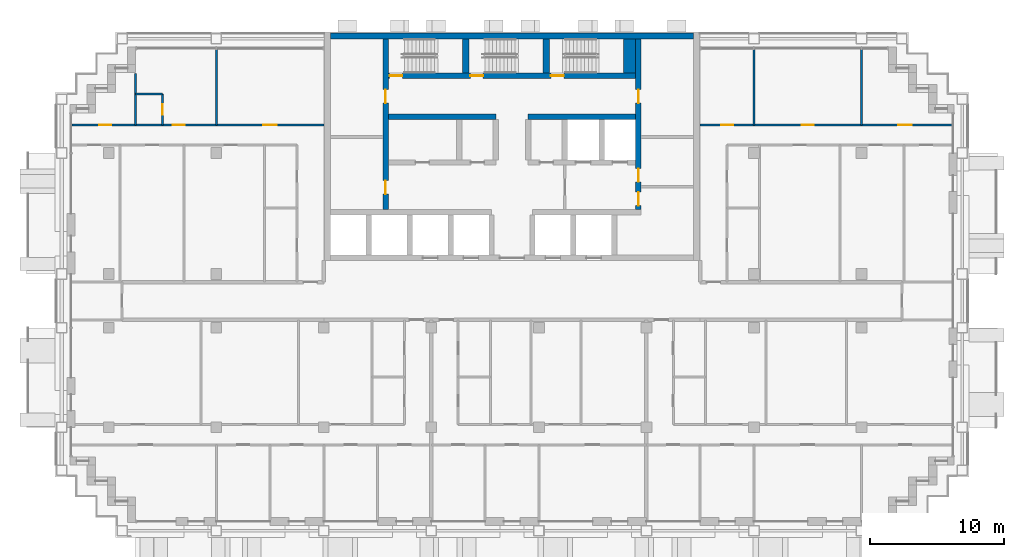
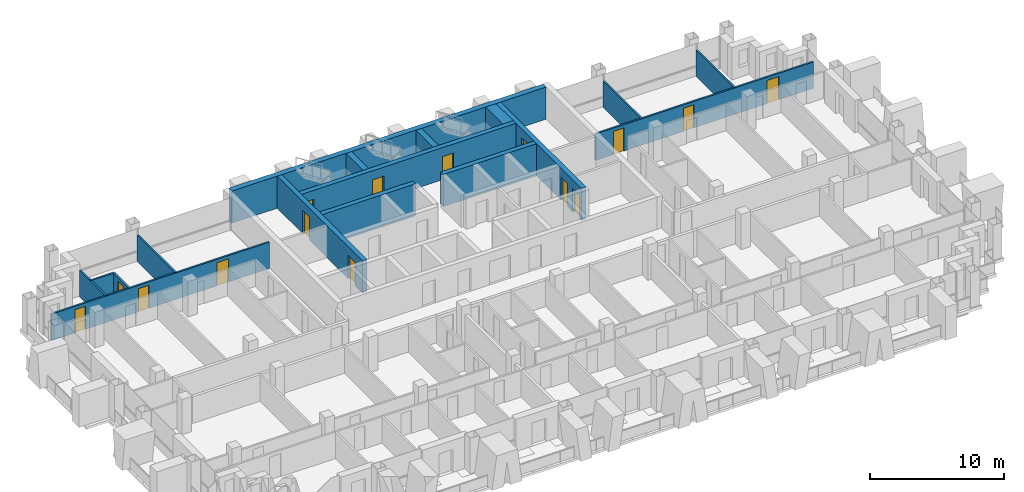
# One storey, part 11 of 16: 17 walls, 15 doors, 15 openings.
"""IFC4 building model written with IfcOpenShell, lengths in metres."""

from ifc_helpers import new_model, si_unit, direction, frame, frame_2d, origin, place, context, subcontext, project, spatial, rectangle, extrude, material, layer, layer_set, type_object, element, fill, save


model = new_model("IFC4")

# Units and contexts
model_context = context("Model", 3, precision=1e-05, world=origin(), true_north=direction((0.0, 1.0)))
body_context = subcontext(model_context, "Body", "Model", "MODEL_VIEW")
ifc_project = project(units=[si_unit("LENGTHUNIT", "METRE"), si_unit("AREAUNIT", "SQUARE_METRE"), si_unit("VOLUMEUNIT", "CUBIC_METRE"), si_unit("PLANEANGLEUNIT", "RADIAN"), si_unit("MASSUNIT", "GRAM", prefix="KILO")], contexts=[model_context])

# Site, building, storey
site_placement = place(None, origin())
site = spatial("IfcSite", under=ifc_project, at=site_placement, CompositionType="ELEMENT")
building_placement = place(site_placement, origin())
building = spatial("IfcBuilding", under=site, at=building_placement, Name="Vidyagriha Tower", CompositionType="ELEMENT")
storey_placement = place(building_placement, frame((0.0, 0.0, 129.39990234375)))
storey = spatial("IfcBuildingStorey", under=building, at=storey_placement, Name="L33", CompositionType="ELEMENT", Elevation=129.39990234375)

# Wall, openings, doors
ifc_material_1 = material(Name="Concrete C60/75", Category="concrete")
ifc_layer_1 = layer(ifc_material_1, 0.39990234375)
ifc_layer_set_1 = layer_set([ifc_layer_1], Name="Concrete C60/75")
wall_type_1 = type_object("IfcWallType", Name="Core shear wall 400 mm", PredefinedType="SHEAR", material=ifc_layer_set_1)
wall_1_placement = place(storey_placement, frame((-9.39990234375, 6.800048828125, 0.0), z_axis=(0.0, 0.0, 1.0), x_axis=(0.0, 1.0, 0.0)))
wall_1 = element("IfcWall", 1, at=wall_1_placement, inside=storey, type_object=wall_type_1, Name="Core west spine wall", PredefinedType="SHEAR", context=body_context, shape_type="SweptSolid", body=[
    extrude(rectangle(XDim=12.699951171875, YDim=0.39990234375, at=frame_2d((6.35009765625, 0.0))), origin(), (0.0, 0.0, 1.0), 2.920166015625),
])
opening_1_placement = place(wall_1_placement, frame((1.14990234375, 0.0, 0.0)))
opening_1 = element("IfcOpeningElement", 2, at=opening_1_placement, cuts=wall_1, Name="Opening D33-09", PredefinedType="OPENING", context=body_context, shape_type="SweptSolid", body=[
    extrude(rectangle(XDim=1.0, YDim=2.10009765625, at=frame_2d((0.5, 1.050048828125))), frame((0.0, 0.2099609375, 0.0), z_axis=(0.0, -1.0, 0.0), x_axis=(1.0, 0.0, 0.0)), (0.0, 0.0, 1.0), 0.419921875),
])
opening_2_placement = place(wall_1_placement, frame((7.925048828125, 0.0, 0.0)))
opening_2 = element("IfcOpeningElement", 3, at=opening_2_placement, cuts=wall_1, Name="Opening D33-10", PredefinedType="OPENING", context=body_context, shape_type="SweptSolid", body=[
    extrude(rectangle(XDim=1.0, YDim=2.10009765625, at=frame_2d((0.5, 1.050048828125))), frame((0.0, 0.2099609375, 0.0), z_axis=(0.0, -1.0, 0.0), x_axis=(1.0, 0.0, 0.0)), (0.0, 0.0, 1.0), 0.419921875),
])
ifc_material_2 = material(Name="Hollow metal door leaf")
door_type_1 = type_object("IfcDoorType", Name="Core room door 1000 x 2100 mm EI 60", OperationType="NOTDEFINED", PredefinedType="DOOR", material=ifc_material_2)
door_1_placement = place(opening_1_placement, frame((1.0, 0.0, 0.0), z_axis=(0.0, 0.0, 1.0), x_axis=(-1.0, 0.0, 0.0)))
door_1 = element("IfcDoor", 4, at=door_1_placement, inside=storey, type_object=door_type_1, Name="Door Storage Room 33.W1", OperationType="SINGLE_SWING_RIGHT", OverallHeight=2.10009765625, OverallWidth=1.0, PredefinedType="DOOR", context=body_context, shape_type="SweptSolid", body=[
    extrude(rectangle(XDim=1.0, YDim=2.10009765625, at=frame_2d((0.5, 1.050048828125))), frame((0.0, 0.02490234375, 0.0), z_axis=(0.0, -1.0, 0.0), x_axis=(1.0, 0.0, 0.0)), (0.0, 0.0, 1.0), 0.050048828125),
])
fill(opening_1, door_1)
door_2_placement = place(opening_2_placement, frame((1.0, 0.0, 0.0), z_axis=(0.0, 0.0, 1.0), x_axis=(-1.0, 0.0, 0.0)))
door_2 = element("IfcDoor", 5, at=door_2_placement, inside=storey, type_object=door_type_1, Name="Door Cleaners Store 33.W2", OperationType="SINGLE_SWING_LEFT", OverallHeight=2.10009765625, OverallWidth=1.0, PredefinedType="DOOR", context=body_context, shape_type="SweptSolid", body=[
    extrude(rectangle(XDim=1.0, YDim=2.10009765625, at=frame_2d((0.5, 1.050048828125))), frame((0.0, 0.02490234375, 0.0), z_axis=(0.0, -1.0, 0.0), x_axis=(1.0, 0.0, 0.0)), (0.0, 0.0, 1.0), 0.050048828125),
])
fill(opening_2, door_2)

wall_2_placement = place(storey_placement, frame((9.39990234375, 6.800048828125, 0.0), z_axis=(0.0, 0.0, 1.0), x_axis=(0.0, 1.0, 0.0)))
wall_2 = element("IfcWall", 6, at=wall_2_placement, inside=storey, type_object=wall_type_1, Name="Core east spine wall", PredefinedType="SHEAR", context=body_context, shape_type="SweptSolid", body=[
    extrude(rectangle(XDim=12.699951171875, YDim=0.39990234375, at=frame_2d((6.35009765625, 0.0))), origin(), (0.0, 0.0, 1.0), 2.920166015625),
])
opening_3_placement = place(wall_2_placement, frame((0.300048828125, 0.0, 0.0)))
opening_3 = element("IfcOpeningElement", 7, at=opening_3_placement, cuts=wall_2, Name="Opening D33-11", PredefinedType="OPENING", context=body_context, shape_type="SweptSolid", body=[
    extrude(rectangle(XDim=1.0, YDim=2.10009765625, at=frame_2d((0.5, 1.050048828125))), frame((0.0, 0.2099609375, 0.0), z_axis=(0.0, -1.0, 0.0), x_axis=(1.0, 0.0, 0.0)), (0.0, 0.0, 1.0), 0.419921875),
])
opening_4_placement = place(wall_2_placement, frame((2.050048828125, 0.0, 0.0)))
opening_4 = element("IfcOpeningElement", 8, at=opening_4_placement, cuts=wall_2, Name="Opening D33-12", PredefinedType="OPENING", context=body_context, shape_type="SweptSolid", body=[
    extrude(rectangle(XDim=1.0, YDim=2.10009765625, at=frame_2d((0.5, 1.050048828125))), frame((0.0, 0.2099609375, 0.0), z_axis=(0.0, -1.0, 0.0), x_axis=(1.0, 0.0, 0.0)), (0.0, 0.0, 1.0), 0.419921875),
])
opening_5_placement = place(wall_2_placement, frame((7.925048828125, 0.0, 0.0)))
opening_5 = element("IfcOpeningElement", 9, at=opening_5_placement, cuts=wall_2, Name="Opening D33-13", PredefinedType="OPENING", context=body_context, shape_type="SweptSolid", body=[
    extrude(rectangle(XDim=1.0, YDim=2.10009765625, at=frame_2d((0.5, 1.050048828125))), frame((0.0, 0.2099609375, 0.0), z_axis=(0.0, -1.0, 0.0), x_axis=(1.0, 0.0, 0.0)), (0.0, 0.0, 1.0), 0.419921875),
])
door_3_placement = place(opening_3_placement, origin())
door_3 = element("IfcDoor", 10, at=door_3_placement, inside=storey, type_object=door_type_1, Name="Door Communications Room 33.E1", OperationType="SINGLE_SWING_RIGHT", OverallHeight=2.10009765625, OverallWidth=1.0, PredefinedType="DOOR", context=body_context, shape_type="SweptSolid", body=[
    extrude(rectangle(XDim=1.0, YDim=2.10009765625, at=frame_2d((0.5, 1.050048828125))), frame((0.0, 0.02490234375, 0.0), z_axis=(0.0, -1.0, 0.0), x_axis=(1.0, 0.0, 0.0)), (0.0, 0.0, 1.0), 0.050048828125),
])
fill(opening_3, door_3)
door_4_placement = place(opening_4_placement, origin())
door_4 = element("IfcDoor", 11, at=door_4_placement, inside=storey, type_object=door_type_1, Name="Door Pressurisation Plant Room 33.E2", OperationType="SINGLE_SWING_LEFT", OverallHeight=2.10009765625, OverallWidth=1.0, PredefinedType="DOOR", context=body_context, shape_type="SweptSolid", body=[
    extrude(rectangle(XDim=1.0, YDim=2.10009765625, at=frame_2d((0.5, 1.050048828125))), frame((0.0, 0.02490234375, 0.0), z_axis=(0.0, -1.0, 0.0), x_axis=(1.0, 0.0, 0.0)), (0.0, 0.0, 1.0), 0.050048828125),
])
fill(opening_4, door_4)
door_5_placement = place(opening_5_placement, origin())
door_5 = element("IfcDoor", 12, at=door_5_placement, inside=storey, type_object=door_type_1, Name="Door Switchgear Room 33.E3", OperationType="SINGLE_SWING_LEFT", OverallHeight=2.10009765625, OverallWidth=1.0, PredefinedType="DOOR", context=body_context, shape_type="SweptSolid", body=[
    extrude(rectangle(XDim=1.0, YDim=2.10009765625, at=frame_2d((0.5, 1.050048828125))), frame((0.0, 0.02490234375, 0.0), z_axis=(0.0, -1.0, 0.0), x_axis=(1.0, 0.0, 0.0)), (0.0, 0.0, 1.0), 0.050048828125),
])
fill(opening_5, door_5)

# Walls
for number, where, name in (
    (13, (-9.199951171875, 13.699951171875, 0.0), "Core row N rear wall"),
    (14, (1.199951171875, 13.699951171875, 0.0), "Core row N rear wall"),
):
    element("IfcWall", number, at=place(storey_placement, frame(where)), inside=storey, type_object=wall_type_1, Name=name, PredefinedType="SHEAR", context=body_context, shape_type="SweptSolid", body=[
        extrude(rectangle(XDim=8.0, YDim=0.39990234375, at=frame_2d((4.0, 0.0))), origin(), (0.0, 0.0, 1.0), 2.920166015625),
    ])

# Wall, openings, doors
wall_3_placement = place(storey_placement, frame((-9.199951171875, 16.75, 0.0)))
wall_3 = element("IfcWall", 15, at=wall_3_placement, inside=storey, type_object=wall_type_1, Name="Stair front wall", PredefinedType="SHEAR", context=body_context, shape_type="SweptSolid", body=[
    extrude(rectangle(XDim=18.39990234375, YDim=0.39990234375, at=frame_2d((9.199951171875, 0.0))), origin(), (0.0, 0.0, 1.0), 2.920166015625),
])
opening_6_placement = place(wall_3_placement, frame((0.10009765625, 0.0, 0.0)))
opening_6 = element("IfcOpeningElement", 16, at=opening_6_placement, cuts=wall_3, Name="Opening D33-06", PredefinedType="OPENING", context=body_context, shape_type="SweptSolid", body=[
    extrude(rectangle(XDim=0.949951171875, YDim=2.10009765625, at=frame_2d((0.47509765625, 1.050048828125))), frame((0.0, 0.2099609375, 0.0), z_axis=(0.0, -1.0, 0.0), x_axis=(1.0, 0.0, 0.0)), (0.0, 0.0, 1.0), 0.419921875),
])
opening_7_placement = place(wall_3_placement, frame((6.10009765625, 0.0, 0.0)))
opening_7 = element("IfcOpeningElement", 17, at=opening_7_placement, cuts=wall_3, Name="Opening D33-07", PredefinedType="OPENING", context=body_context, shape_type="SweptSolid", body=[
    extrude(rectangle(XDim=0.949951171875, YDim=2.10009765625, at=frame_2d((0.47509765625, 1.050048828125))), frame((0.0, 0.2099609375, 0.0), z_axis=(0.0, -1.0, 0.0), x_axis=(1.0, 0.0, 0.0)), (0.0, 0.0, 1.0), 0.419921875),
])
opening_8_placement = place(wall_3_placement, frame((12.10009765625, 0.0, 0.0)))
opening_8 = element("IfcOpeningElement", 18, at=opening_8_placement, cuts=wall_3, Name="Opening D33-08", PredefinedType="OPENING", context=body_context, shape_type="SweptSolid", body=[
    extrude(rectangle(XDim=0.949951171875, YDim=2.10009765625, at=frame_2d((0.47509765625, 1.050048828125))), frame((0.0, 0.2099609375, 0.0), z_axis=(0.0, -1.0, 0.0), x_axis=(1.0, 0.0, 0.0)), (0.0, 0.0, 1.0), 0.419921875),
])
ifc_material_3 = material(Name="Hollow metal door leaf")
door_type_2 = type_object("IfcDoorType", Name="Exit stair door 950 x 2100 mm EI 90", OperationType="NOTDEFINED", PredefinedType="DOOR", material=ifc_material_3)
door_6_placement = place(opening_6_placement, origin())
door_6 = element("IfcDoor", 19, at=door_6_placement, inside=storey, type_object=door_type_2, Name="Stair door ST1 L33", OperationType="SINGLE_SWING_LEFT", OverallHeight=2.10009765625, OverallWidth=0.949951171875, PredefinedType="DOOR", context=body_context, shape_type="SweptSolid", body=[
    extrude(rectangle(XDim=0.949951171875, YDim=2.10009765625, at=frame_2d((0.47509765625, 1.050048828125))), frame((0.0, 0.02490234375, 0.0), z_axis=(0.0, -1.0, 0.0), x_axis=(1.0, 0.0, 0.0)), (0.0, 0.0, 1.0), 0.050048828125),
])
fill(opening_6, door_6)
door_7_placement = place(opening_7_placement, origin())
door_7 = element("IfcDoor", 20, at=door_7_placement, inside=storey, type_object=door_type_2, Name="Stair door ST2 L33", OperationType="SINGLE_SWING_LEFT", OverallHeight=2.10009765625, OverallWidth=0.949951171875, PredefinedType="DOOR", context=body_context, shape_type="SweptSolid", body=[
    extrude(rectangle(XDim=0.949951171875, YDim=2.10009765625, at=frame_2d((0.47509765625, 1.050048828125))), frame((0.0, 0.02490234375, 0.0), z_axis=(0.0, -1.0, 0.0), x_axis=(1.0, 0.0, 0.0)), (0.0, 0.0, 1.0), 0.050048828125),
])
fill(opening_7, door_7)
door_8_placement = place(opening_8_placement, origin())
door_8 = element("IfcDoor", 21, at=door_8_placement, inside=storey, type_object=door_type_2, Name="Stair door ST3 L33", OperationType="SINGLE_SWING_LEFT", OverallHeight=2.10009765625, OverallWidth=0.949951171875, PredefinedType="DOOR", context=body_context, shape_type="SweptSolid", body=[
    extrude(rectangle(XDim=0.949951171875, YDim=2.10009765625, at=frame_2d((0.47509765625, 1.050048828125))), frame((0.0, 0.02490234375, 0.0), z_axis=(0.0, -1.0, 0.0), x_axis=(1.0, 0.0, 0.0)), (0.0, 0.0, 1.0), 0.050048828125),
])
fill(opening_8, door_8)

# Walls
ifc_material_4 = material(Name="Concrete C60/75", Category="concrete")
ifc_layer_2 = layer(ifc_material_4, 0.449951171875)
ifc_layer_set_2 = layer_set([ifc_layer_2], Name="Concrete C60/75")
wall_type_2 = type_object("IfcWallType", Name="Core shear wall 450 mm", PredefinedType="SHEAR", material=ifc_layer_set_2)
wall_4_placement = place(storey_placement, frame((-13.5, 19.72509765625, 0.0)))
element("IfcWall", 22, at=wall_4_placement, inside=storey, type_object=wall_type_2, Name="Core north wall", PredefinedType="SHEAR", context=body_context, shape_type="SweptSolid", body=[
    extrude(rectangle(XDim=27.0, YDim=0.449951171875, at=frame_2d((13.5, 0.0))), origin(), (0.0, 0.0, 1.0), 2.920166015625),
])
ifc_material_5 = material(Name="Concrete C60/75", Category="concrete")
ifc_layer_3 = layer(ifc_material_5, 0.5)
ifc_layer_set_3 = layer_set([ifc_layer_3], Name="Concrete C60/75")
wall_type_3 = type_object("IfcWallType", Name="Core shear wall 500 mm", PredefinedType="SHEAR", material=ifc_layer_set_3)
for number, where, z_axis, x_axis, name in (
    (23, (-3.449951171875, 16.949951171875, 0.0), (0.0, 0.0, 1.0), (0.0, 1.0, 0.0), "Stair partition wall 1"),
    (24, (2.550048828125, 16.949951171875, 0.0), (0.0, 0.0, 1.0), (0.0, 1.0, 0.0), "Stair partition wall 2"),
):
    element("IfcWall", number, at=place(storey_placement, frame(where, z_axis=z_axis, x_axis=x_axis)), inside=storey, type_object=wall_type_3, Name=name, PredefinedType="SHEAR", context=body_context, shape_type="SweptSolid", body=[
        extrude(rectangle(XDim=2.550048828125, YDim=0.5, at=frame_2d((1.27490234375, 0.0))), origin(), (0.0, 0.0, 1.0), 2.920166015625),
    ])
ifc_material_6 = material(Name="Concrete C60/75", Category="concrete")
ifc_layer_4 = layer(ifc_material_6, 0.89990234375)
ifc_layer_set_4 = layer_set([ifc_layer_4], Name="Concrete C60/75")
wall_type_4 = type_object("IfcWallType", Name="Core shear wall 900 mm", PredefinedType="SHEAR", material=ifc_layer_set_4)
wall_5_placement = place(storey_placement, frame((8.75, 16.949951171875, 0.0), z_axis=(0.0, 0.0, 1.0), x_axis=(0.0, 1.0, 0.0)))
element("IfcWall", 25, at=wall_5_placement, inside=storey, type_object=wall_type_4, Name="Stair end wall", PredefinedType="SHEAR", context=body_context, shape_type="SweptSolid", body=[
    extrude(rectangle(XDim=2.550048828125, YDim=0.89990234375, at=frame_2d((1.27490234375, 0.0))), origin(), (0.0, 0.0, 1.0), 2.920166015625),
])

# Wall, openings, doors
ifc_material_7 = material(Name="Gypsum board partition")
ifc_layer_5 = layer(ifc_material_7, 0.14990234375)
ifc_layer_set_5 = layer_set([ifc_layer_5], Name="Gypsum board partition")
wall_type_5 = type_object("IfcWallType", Name="Gypsum board partition 150", PredefinedType="PARTITIONING", material=ifc_layer_set_5)
wall_6_placement = place(storey_placement, frame((-32.719970703125, 13.10009765625, 0.0)))
wall_6 = element("IfcWall", 26, at=wall_6_placement, inside=storey, type_object=wall_type_5, Name="Wall all-L33-w078", PredefinedType="PARTITIONING", context=body_context, shape_type="SweptSolid", body=[
    extrude(rectangle(XDim=18.719970703125, YDim=0.14990234375, at=frame_2d((9.35986328125, 0.0))), origin(), (0.0, 0.0, 1.0), 2.400146484375),
])
opening_9_placement = place(wall_6_placement, frame((2.02001953125, 0.0, 0.0)))
opening_9 = element("IfcOpeningElement", 27, at=opening_9_placement, cuts=wall_6, Name="Opening D33-49", PredefinedType="OPENING", context=body_context, shape_type="SweptSolid", body=[
    extrude(rectangle(XDim=0.89990234375, YDim=2.10009765625, at=frame_2d((0.449951171875, 1.050048828125))), frame((0.0, 0.0849609375, 0.0), z_axis=(0.0, -1.0, 0.0), x_axis=(1.0, 0.0, 0.0)), (0.0, 0.0, 1.0), 0.169921875),
])
opening_10_placement = place(wall_6_placement, frame((7.469970703125, 0.0, 0.0)))
opening_10 = element("IfcOpeningElement", 28, at=opening_10_placement, cuts=wall_6, Name="Opening D33-50", PredefinedType="OPENING", context=body_context, shape_type="SweptSolid", body=[
    extrude(rectangle(XDim=0.89990234375, YDim=2.10009765625, at=frame_2d((0.449951171875, 1.050048828125))), frame((0.0, 0.0849609375, 0.0), z_axis=(0.0, -1.0, 0.0), x_axis=(1.0, 0.0, 0.0)), (0.0, 0.0, 1.0), 0.169921875),
])
opening_11_placement = place(wall_6_placement, frame((14.219970703125, 0.0, 0.0)))
opening_11 = element("IfcOpeningElement", 29, at=opening_11_placement, cuts=wall_6, Name="Opening D33-51", PredefinedType="OPENING", context=body_context, shape_type="SweptSolid", body=[
    extrude(rectangle(XDim=1.0, YDim=2.10009765625, at=frame_2d((0.5, 1.050048828125))), frame((0.0, 0.0849609375, 0.0), z_axis=(0.0, -1.0, 0.0), x_axis=(1.0, 0.0, 0.0)), (0.0, 0.0, 1.0), 0.169921875),
])
ifc_material_8 = material(Name="Timber door leaf", Category="wood")
door_type_3 = type_object("IfcDoorType", Name="Room door 1000x2100", OperationType="NOTDEFINED", PredefinedType="DOOR", material=ifc_material_8)
door_9_placement = place(opening_11_placement, origin())
door_9 = element("IfcDoor", 30, at=door_9_placement, inside=storey, type_object=door_type_3, Name="Door D33-51", OperationType="SINGLE_SWING_RIGHT", OverallHeight=2.10009765625, OverallWidth=1.0, PredefinedType="DOOR", context=body_context, shape_type="SweptSolid", body=[
    extrude(rectangle(XDim=1.0, YDim=2.10009765625, at=frame_2d((0.5, 1.050048828125))), frame((0.0, 0.02490234375, 0.0), z_axis=(0.0, -1.0, 0.0), x_axis=(1.0, 0.0, 0.0)), (0.0, 0.0, 1.0), 0.050048828125),
])
fill(opening_11, door_9)
ifc_material_9 = material(Name="Timber door leaf", Category="wood")
door_type_4 = type_object("IfcDoorType", Name="Room door 900x2100", OperationType="NOTDEFINED", PredefinedType="DOOR", material=ifc_material_9)
door_10_placement = place(opening_9_placement, origin())
door_10 = element("IfcDoor", 31, at=door_10_placement, inside=storey, type_object=door_type_4, Name="Door D33-49", OperationType="SINGLE_SWING_RIGHT", OverallHeight=2.10009765625, OverallWidth=0.89990234375, PredefinedType="DOOR", context=body_context, shape_type="SweptSolid", body=[
    extrude(rectangle(XDim=0.89990234375, YDim=2.10009765625, at=frame_2d((0.449951171875, 1.050048828125))), frame((0.0, 0.02490234375, 0.0), z_axis=(0.0, -1.0, 0.0), x_axis=(1.0, 0.0, 0.0)), (0.0, 0.0, 1.0), 0.050048828125),
])
fill(opening_9, door_10)
door_11_placement = place(opening_10_placement, origin())
door_11 = element("IfcDoor", 32, at=door_11_placement, inside=storey, type_object=door_type_4, Name="Door D33-50", OperationType="SINGLE_SWING_RIGHT", OverallHeight=2.10009765625, OverallWidth=0.89990234375, PredefinedType="DOOR", context=body_context, shape_type="SweptSolid", body=[
    extrude(rectangle(XDim=0.89990234375, YDim=2.10009765625, at=frame_2d((0.449951171875, 1.050048828125))), frame((0.0, 0.02490234375, 0.0), z_axis=(0.0, -1.0, 0.0), x_axis=(1.0, 0.0, 0.0)), (0.0, 0.0, 1.0), 0.050048828125),
])
fill(opening_10, door_11)

# Walls
wall_7_placement = place(storey_placement, frame((-28.0, 16.919921875, 0.0), z_axis=(0.0, 0.0, 1.0), x_axis=(0.0, -1.0, 0.0)))
element("IfcWall", 33, at=wall_7_placement, inside=storey, type_object=wall_type_5, Name="Wall all-L33-w082", PredefinedType="PARTITIONING", context=body_context, shape_type="SweptSolid", body=[
    extrude(rectangle(XDim=3.81982421875, YDim=0.14990234375, at=frame_2d((1.909912109375, 0.0))), origin(), (0.0, 0.0, 1.0), 2.400146484375),
])
wall_8_placement = place(storey_placement, frame((-22.0, 18.720947265625, 0.0), z_axis=(0.0, 0.0, 1.0), x_axis=(0.0, -1.0, 0.0)))
element("IfcWall", 34, at=wall_8_placement, inside=storey, type_object=wall_type_5, Name="Wall all-L33-w083", PredefinedType="PARTITIONING", context=body_context, shape_type="SweptSolid", body=[
    extrude(rectangle(XDim=5.620849609375, YDim=0.14990234375, at=frame_2d((2.810546875, 0.0))), origin(), (0.0, 0.0, 1.0), 2.400146484375),
])

# Wall, opening, door
wall_9_placement = place(storey_placement, frame((-26.0, 15.39990234375, 0.0), z_axis=(0.0, 0.0, 1.0), x_axis=(0.0, -1.0, 0.0)))
wall_9 = element("IfcWall", 35, at=wall_9_placement, inside=storey, type_object=wall_type_5, Name="Wall all-L33-w084", PredefinedType="PARTITIONING", context=body_context, shape_type="SweptSolid", body=[
    extrude(rectangle(XDim=2.2998046875, YDim=0.14990234375, at=frame_2d((1.14990234375, 0.0))), origin(), (0.0, 0.0, 1.0), 2.400146484375),
])
opening_12_placement = place(wall_9_placement, frame((0.75, 0.0, 0.0)))
opening_12 = element("IfcOpeningElement", 36, at=opening_12_placement, cuts=wall_9, Name="Opening D33-52", PredefinedType="OPENING", context=body_context, shape_type="SweptSolid", body=[
    extrude(rectangle(XDim=0.800048828125, YDim=2.10009765625, at=frame_2d((0.39990234375, 1.050048828125))), frame((0.0, 0.0849609375, 0.0), z_axis=(0.0, -1.0, 0.0), x_axis=(1.0, 0.0, 0.0)), (0.0, 0.0, 1.0), 0.169921875),
])
ifc_material_10 = material(Name="Timber door leaf", Category="wood")
door_type_5 = type_object("IfcDoorType", Name="Bathroom door 800x2100", OperationType="NOTDEFINED", PredefinedType="DOOR", material=ifc_material_10)
door_12_placement = place(opening_12_placement, origin())
door_12 = element("IfcDoor", 37, at=door_12_placement, inside=storey, type_object=door_type_5, Name="Door D33-52", OperationType="SINGLE_SWING_RIGHT", OverallHeight=2.10009765625, OverallWidth=0.800048828125, PredefinedType="DOOR", context=body_context, shape_type="SweptSolid", body=[
    extrude(rectangle(XDim=0.800048828125, YDim=2.10009765625, at=frame_2d((0.39990234375, 1.050048828125))), frame((0.0, 0.02490234375, 0.0), z_axis=(0.0, -1.0, 0.0), x_axis=(1.0, 0.0, 0.0)), (0.0, 0.0, 1.0), 0.050048828125),
])
fill(opening_12, door_12)

# Wall
wall_10_placement = place(storey_placement, frame((-28.0, 15.39990234375, 0.0)))
element("IfcWall", 38, at=wall_10_placement, inside=storey, type_object=wall_type_5, Name="Wall all-L33-w085", PredefinedType="PARTITIONING", context=body_context, shape_type="SweptSolid", body=[
    extrude(rectangle(XDim=2.0, YDim=0.14990234375, at=frame_2d((1.0, 0.0))), origin(), (0.0, 0.0, 1.0), 2.400146484375),
])

# Wall, openings, doors
wall_11_placement = place(storey_placement, frame((14.0, 13.10009765625, 0.0)))
wall_11 = element("IfcWall", 39, at=wall_11_placement, inside=storey, type_object=wall_type_5, Name="Wall all-L33-w101", PredefinedType="PARTITIONING", context=body_context, shape_type="SweptSolid", body=[
    extrude(rectangle(XDim=18.719970703125, YDim=0.14990234375, at=frame_2d((9.35986328125, 0.0))), origin(), (0.0, 0.0, 1.0), 2.400146484375),
])
opening_13_placement = place(wall_11_placement, frame((1.550048828125, 0.0, 0.0)))
opening_13 = element("IfcOpeningElement", 40, at=opening_13_placement, cuts=wall_11, Name="Opening D33-59", PredefinedType="OPENING", context=body_context, shape_type="SweptSolid", body=[
    extrude(rectangle(XDim=0.89990234375, YDim=2.10009765625, at=frame_2d((0.449951171875, 1.050048828125))), frame((0.0, 0.0849609375, 0.0), z_axis=(0.0, -1.0, 0.0), x_axis=(1.0, 0.0, 0.0)), (0.0, 0.0, 1.0), 0.169921875),
])
opening_14_placement = place(wall_11_placement, frame((7.550048828125, 0.0, 0.0)))
opening_14 = element("IfcOpeningElement", 41, at=opening_14_placement, cuts=wall_11, Name="Opening D33-60", PredefinedType="OPENING", context=body_context, shape_type="SweptSolid", body=[
    extrude(rectangle(XDim=0.89990234375, YDim=2.10009765625, at=frame_2d((0.449951171875, 1.050048828125))), frame((0.0, 0.0849609375, 0.0), z_axis=(0.0, -1.0, 0.0), x_axis=(1.0, 0.0, 0.0)), (0.0, 0.0, 1.0), 0.169921875),
])
opening_15_placement = place(wall_11_placement, frame((14.75, 0.0, 0.0)))
opening_15 = element("IfcOpeningElement", 42, at=opening_15_placement, cuts=wall_11, Name="Opening D33-61", PredefinedType="OPENING", context=body_context, shape_type="SweptSolid", body=[
    extrude(rectangle(XDim=1.0, YDim=2.10009765625, at=frame_2d((0.5, 1.050048828125))), frame((0.0, 0.0849609375, 0.0), z_axis=(0.0, -1.0, 0.0), x_axis=(1.0, 0.0, 0.0)), (0.0, 0.0, 1.0), 0.169921875),
])
door_13_placement = place(opening_15_placement, origin())
door_13 = element("IfcDoor", 43, at=door_13_placement, inside=storey, type_object=door_type_3, Name="Door D33-61", OperationType="SINGLE_SWING_RIGHT", OverallHeight=2.10009765625, OverallWidth=1.0, PredefinedType="DOOR", context=body_context, shape_type="SweptSolid", body=[
    extrude(rectangle(XDim=1.0, YDim=2.10009765625, at=frame_2d((0.5, 1.050048828125))), frame((0.0, 0.02490234375, 0.0), z_axis=(0.0, -1.0, 0.0), x_axis=(1.0, 0.0, 0.0)), (0.0, 0.0, 1.0), 0.050048828125),
])
fill(opening_15, door_13)
door_14_placement = place(opening_13_placement, origin())
door_14 = element("IfcDoor", 44, at=door_14_placement, inside=storey, type_object=door_type_4, Name="Door D33-59", OperationType="SINGLE_SWING_RIGHT", OverallHeight=2.10009765625, OverallWidth=0.89990234375, PredefinedType="DOOR", context=body_context, shape_type="SweptSolid", body=[
    extrude(rectangle(XDim=0.89990234375, YDim=2.10009765625, at=frame_2d((0.449951171875, 1.050048828125))), frame((0.0, 0.02490234375, 0.0), z_axis=(0.0, -1.0, 0.0), x_axis=(1.0, 0.0, 0.0)), (0.0, 0.0, 1.0), 0.050048828125),
])
fill(opening_13, door_14)
door_15_placement = place(opening_14_placement, origin())
door_15 = element("IfcDoor", 45, at=door_15_placement, inside=storey, type_object=door_type_4, Name="Door D33-60", OperationType="SINGLE_SWING_RIGHT", OverallHeight=2.10009765625, OverallWidth=0.89990234375, PredefinedType="DOOR", context=body_context, shape_type="SweptSolid", body=[
    extrude(rectangle(XDim=0.89990234375, YDim=2.10009765625, at=frame_2d((0.449951171875, 1.050048828125))), frame((0.0, 0.02490234375, 0.0), z_axis=(0.0, -1.0, 0.0), x_axis=(1.0, 0.0, 0.0)), (0.0, 0.0, 1.0), 0.050048828125),
])
fill(opening_14, door_15)

# Walls
for number, where, z_axis, x_axis, name in (
    (46, (18.0, 18.720947265625, 0.0), (0.0, 0.0, 1.0), (0.0, -1.0, 0.0), "Wall all-L33-w105"),
    (47, (26.0, 18.720947265625, 0.0), (0.0, 0.0, 1.0), (0.0, -1.0, 0.0), "Wall all-L33-w106"),
):
    element("IfcWall", number, at=place(storey_placement, frame(where, z_axis=z_axis, x_axis=x_axis)), inside=storey, type_object=wall_type_5, Name=name, PredefinedType="PARTITIONING", context=body_context, shape_type="SweptSolid", body=[
        extrude(rectangle(XDim=5.620849609375, YDim=0.14990234375, at=frame_2d((2.810546875, 0.0))), origin(), (0.0, 0.0, 1.0), 2.400146484375),
    ])

save(model, "model.ifc")
